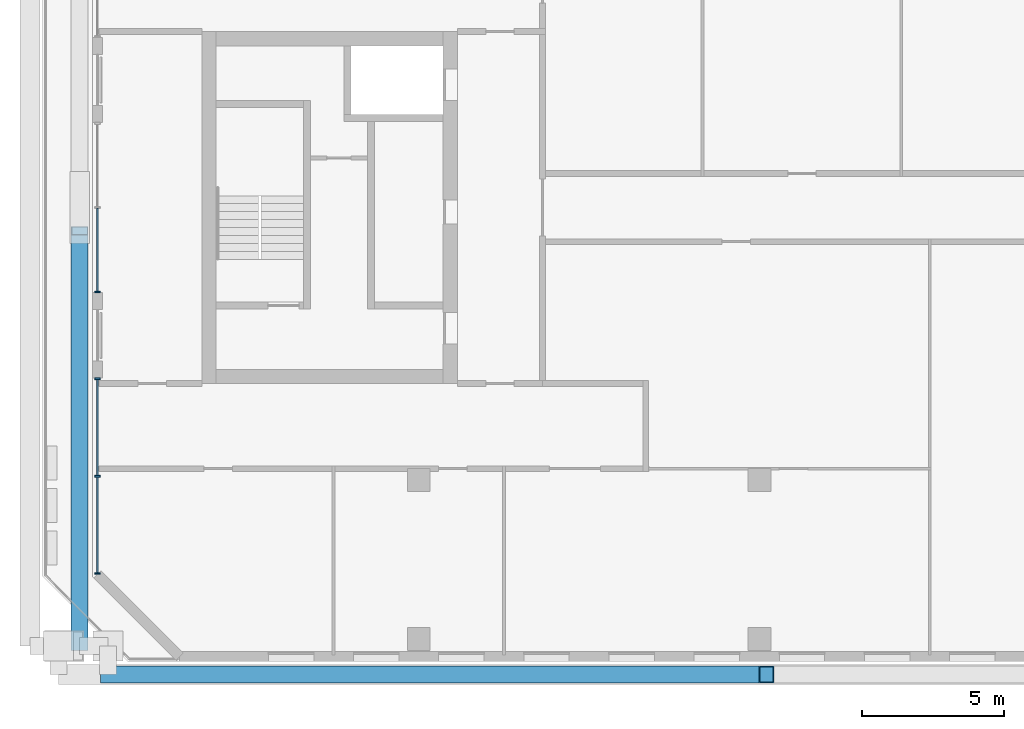
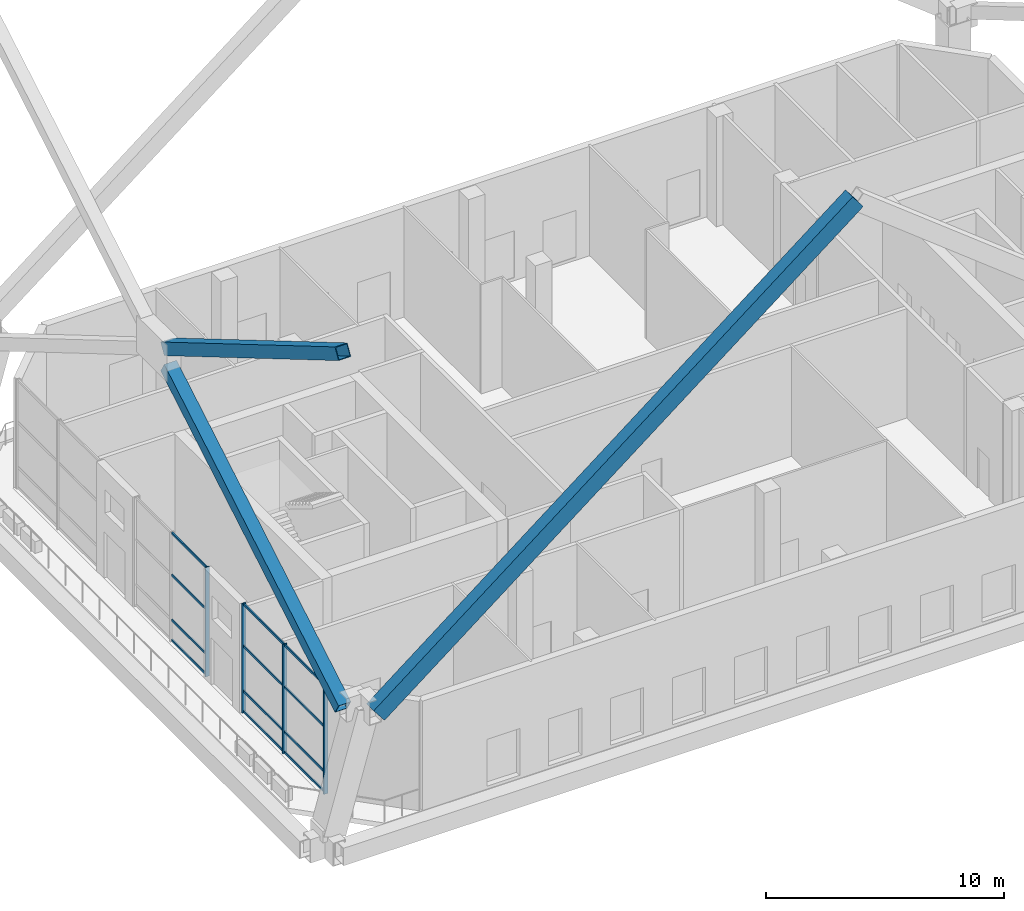
# One storey, part 2 of 20: 19 members, 2 elements without a shape of their own.
"""IFC4 building model written with IfcOpenShell, lengths in metres."""

from ifc_helpers import new_model, si_unit, direction, frame, origin, origin_2d, place, context, subcontext, project, spatial, rectangle, hollow_rectangle, extrude, material, material_profile, profile_set, type_object, element, aggregate, save


model = new_model("IFC4")

# Units and contexts
model_context = context("Model", 3, precision=1e-05, world=origin(), true_north=direction((0.0, 1.0)))
body_context = subcontext(model_context, "Body", "Model", "MODEL_VIEW")
ifc_project = project(units=[si_unit("LENGTHUNIT", "METRE"), si_unit("AREAUNIT", "SQUARE_METRE"), si_unit("VOLUMEUNIT", "CUBIC_METRE"), si_unit("PLANEANGLEUNIT", "RADIAN"), si_unit("MASSUNIT", "GRAM", prefix="KILO")], contexts=[model_context])

# Site, building, storey
site_placement = place(None, origin())
site = spatial("IfcSite", under=ifc_project, at=site_placement, CompositionType="ELEMENT")
building_placement = place(site_placement, origin())
building = spatial("IfcBuilding", under=site, at=building_placement, Name="Tuart Gate Housing", CompositionType="ELEMENT")
storey_placement = place(building_placement, frame((0.0, 0.0, 142.300048828125)))
storey = spatial("IfcBuildingStorey", under=building, at=storey_placement, Name="L40", CompositionType="ELEMENT", Elevation=142.300048828125)

# Members
ifc_material_1 = material(Name="Steel Grade 350", Category="steel")
ifc_material_profile_1 = material_profile(ifc_material_1, hollow_rectangle(XDim=0.60009765625, YDim=0.60009765625, WallThickness=0.030029296875, at=origin_2d()), Name="BOX 600x600x30")
ifc_profile_set_1 = profile_set([ifc_material_profile_1], Name="Steel Grade 350")
member_type_1 = type_object("IfcMemberType", Name="Mega brace BOX 600x600x30", PredefinedType="BRACE", material=ifc_profile_set_1)
for number, where, z_axis, x_axis, name in (
    (1, (28.050048828125, 54.550048828125, 6.199951171875), (0.0, 0.861644676374, 0.507512021214), (-1.0, 0.0, 0.0), "Mega brace A zone 6 west cross 1 a"),
    (2, (28.050048828125, 69.181396484375, 15.781982421875), (0.0, -0.861644676374, 0.507512021214), (1.0, 0.0, 0.0), "Mega brace A zone 6 west cross 2 b"),
):
    element("IfcMember", number, at=place(storey_placement, frame(where, z_axis=z_axis, x_axis=x_axis)), inside=storey, type_object=member_type_1, Name=name, PredefinedType="BRACE", context=body_context, shape_type="SweptSolid", body=[
        extrude(hollow_rectangle(XDim=0.60009765625, YDim=0.60009765625, WallThickness=0.030029296875, at=origin_2d()), origin(), (0.0, 0.0, 1.0), 16.980712890625),
    ])
ifc_material_2 = material(Name="Steel Grade 350", Category="steel")
ifc_material_profile_2 = material_profile(ifc_material_2, hollow_rectangle(XDim=0.60009765625, YDim=0.85009765625, WallThickness=0.0419921875, at=origin_2d()), Name="BOX 850x600x42")
ifc_profile_set_2 = profile_set([ifc_material_profile_2], Name="Steel Grade 350")
member_type_2 = type_object("IfcMemberType", Name="Mega brace BOX 850x600x42", PredefinedType="BRACE", material=ifc_profile_set_2)
member_1_placement = place(storey_placement, frame((29.050048828125, 53.550048828125, 6.199951171875), z_axis=(0.78678900495, 0.0, 0.617222052174), x_axis=(0.0, 1.0, 0.0)))
element("IfcMember", 3, at=member_1_placement, inside=storey, type_object=member_type_2, Name="Mega brace A zone 6 south chevron 1", PredefinedType="BRACE", context=body_context, shape_type="SweptSolid", body=[
    extrude(hollow_rectangle(XDim=0.60009765625, YDim=0.85009765625, WallThickness=0.0419921875, at=origin_2d()), origin(), (0.0, 0.0, 1.0), 29.48681640625),
])

# Curtain wall, member
ifc_material_3 = material(Name="Aluminium and clear glass", Category="aluminium")
curtain_wall_type = type_object("IfcCurtainWallType", Name="Sky garden front glazing", PredefinedType="USERDEFINED", material=ifc_material_3)
curtain_wall_1_placement = place(storey_placement, origin())
curtain_wall_1 = element("IfcCurtainWall", 4, at=curtain_wall_1_placement, inside=storey, type_object=curtain_wall_type, Name="Sky garden front glazing A-W L40", ObjectType="SKY GARDEN FRONT GLAZING", PredefinedType="USERDEFINED")
ifc_material_4 = material(Name="Anodised aluminium", Category="aluminium")
ifc_material_profile_3 = material_profile(ifc_material_4, rectangle(XDim=0.06005859375, YDim=0.199951171875, at=origin_2d()), Name="60x200")
ifc_profile_set_3 = profile_set([ifc_material_profile_3], Name="Anodised aluminium")
member_type_3 = type_object("IfcMemberType", Name="Mullion 60 x 200", PredefinedType="MULLION", material=ifc_profile_set_3)
member_2_placement = place(storey_placement, frame((28.679931640625, 67.030029296875, 0.0), z_axis=(0.0, 0.0, 1.0), x_axis=(0.0, -1.0, 0.0)))
member_2 = element("IfcMember", 5, at=member_2_placement, type_object=member_type_3, Name="CW4 mullion 3", PredefinedType="MULLION", context=body_context, shape_type="SweptSolid", body=[
    extrude(rectangle(XDim=0.06005859375, YDim=0.199951171875, at=origin_2d()), origin(), (0.0, 0.0, 1.0), 5.599853515625),
])

# Curtain wall, members
curtain_wall_2_placement = place(storey_placement, origin())
curtain_wall_2 = element("IfcCurtainWall", 6, at=curtain_wall_2_placement, inside=storey, type_object=curtain_wall_type, Name="Sky garden front glazing A-W L40", ObjectType="SKY GARDEN FRONT GLAZING", PredefinedType="USERDEFINED")
member_3_placement = place(storey_placement, frame((28.679931640625, 63.969970703125, 0.0), z_axis=(0.0, 0.0, 1.0), x_axis=(0.0, -1.0, 0.0)))
member_3 = element("IfcMember", 7, at=member_3_placement, type_object=member_type_3, Name="CW4 mullion 1", PredefinedType="MULLION", context=body_context, shape_type="SweptSolid", body=[
    extrude(rectangle(XDim=0.06005859375, YDim=0.199951171875, at=origin_2d()), origin(), (0.0, 0.0, 1.0), 5.599853515625),
])
member_4_placement = place(storey_placement, frame((28.679931640625, 60.537353515625, 0.0), z_axis=(0.0, 0.0, 1.0), x_axis=(0.0, -1.0, 0.0)))
member_4 = element("IfcMember", 8, at=member_4_placement, type_object=member_type_3, Name="CW4 mullion 2", PredefinedType="MULLION", context=body_context, shape_type="SweptSolid", body=[
    extrude(rectangle(XDim=0.06005859375, YDim=0.199951171875, at=origin_2d()), origin(), (0.0, 0.0, 1.0), 5.599853515625),
])
member_5_placement = place(storey_placement, frame((28.679931640625, 57.1044921875, 0.0), z_axis=(0.0, 0.0, 1.0), x_axis=(0.0, -1.0, 0.0)))
member_5 = element("IfcMember", 9, at=member_5_placement, type_object=member_type_3, Name="CW4 mullion 3", PredefinedType="MULLION", context=body_context, shape_type="SweptSolid", body=[
    extrude(rectangle(XDim=0.06005859375, YDim=0.199951171875, at=origin_2d()), origin(), (0.0, 0.0, 1.0), 5.599853515625),
])

# Member
ifc_material_5 = material(Name="Anodised aluminium", Category="aluminium")
ifc_material_profile_4 = material_profile(ifc_material_5, rectangle(XDim=0.06005859375, YDim=0.1201171875, at=origin_2d()), Name="60x120")
ifc_profile_set_4 = profile_set([ifc_material_profile_4], Name="Anodised aluminium")
member_type_4 = type_object("IfcMemberType", Name="Transom 60 x 120", PredefinedType="USERDEFINED", material=ifc_profile_set_4)
member_6_placement = place(storey_placement, frame((28.679931640625, 69.969970703125, 0.06005859375), z_axis=(0.0, -1.0, 0.0), x_axis=(1.0, 0.0, 0.0)))
member_6 = element("IfcMember", 10, at=member_6_placement, type_object=member_type_4, Name="CW4 transom 2.1", ObjectType="TRANSOM", PredefinedType="USERDEFINED", context=body_context, shape_type="SweptSolid", body=[
    extrude(rectangle(XDim=0.06005859375, YDim=0.1201171875, at=origin_2d()), origin(), (0.0, 0.0, 1.0), 2.909912109375),
])

member_7_placement = place(storey_placement, frame((28.679931640625, 69.969970703125, 1.099853515625), z_axis=(0.0, -1.0, 0.0), x_axis=(1.0, 0.0, 0.0)))
member_7 = element("IfcMember", 11, at=member_7_placement, type_object=member_type_4, Name="CW4 transom 2.2", ObjectType="TRANSOM", PredefinedType="USERDEFINED", context=body_context, shape_type="SweptSolid", body=[
    extrude(rectangle(XDim=0.06005859375, YDim=0.1201171875, at=origin_2d()), origin(), (0.0, 0.0, 1.0), 2.909912109375),
])

member_8_placement = place(storey_placement, frame((28.679931640625, 69.969970703125, 3.39990234375), z_axis=(0.0, -1.0, 0.0), x_axis=(1.0, 0.0, 0.0)))
member_8 = element("IfcMember", 12, at=member_8_placement, type_object=member_type_4, Name="CW4 transom 2.3", ObjectType="TRANSOM", PredefinedType="USERDEFINED", context=body_context, shape_type="SweptSolid", body=[
    extrude(rectangle(XDim=0.06005859375, YDim=0.1201171875, at=origin_2d()), origin(), (0.0, 0.0, 1.0), 2.909912109375),
])

member_9_placement = place(storey_placement, frame((28.679931640625, 69.969970703125, 5.5400390625), z_axis=(0.0, -1.0, 0.0), x_axis=(1.0, 0.0, 0.0)))
member_9 = element("IfcMember", 13, at=member_9_placement, type_object=member_type_4, Name="CW4 transom 2.4", ObjectType="TRANSOM", PredefinedType="USERDEFINED", context=body_context, shape_type="SweptSolid", body=[
    extrude(rectangle(XDim=0.06005859375, YDim=0.1201171875, at=origin_2d()), origin(), (0.0, 0.0, 1.0), 2.909912109375),
])

aggregate(curtain_wall_1, [member_2, member_6, member_7, member_8, member_9])

member_10_placement = place(storey_placement, frame((28.679931640625, 63.93994140625, 0.06005859375), z_axis=(0.0, -1.0, 0.0), x_axis=(1.0, 0.0, 0.0)))
member_10 = element("IfcMember", 14, at=member_10_placement, type_object=member_type_4, Name="CW4 transom 1.1", ObjectType="TRANSOM", PredefinedType="USERDEFINED", context=body_context, shape_type="SweptSolid", body=[
    extrude(rectangle(XDim=0.06005859375, YDim=0.1201171875, at=origin_2d()), origin(), (0.0, 0.0, 1.0), 3.372802734375),
])

member_11_placement = place(storey_placement, frame((28.679931640625, 63.93994140625, 1.099853515625), z_axis=(0.0, -1.0, 0.0), x_axis=(1.0, 0.0, 0.0)))
member_11 = element("IfcMember", 15, at=member_11_placement, type_object=member_type_4, Name="CW4 transom 1.2", ObjectType="TRANSOM", PredefinedType="USERDEFINED", context=body_context, shape_type="SweptSolid", body=[
    extrude(rectangle(XDim=0.06005859375, YDim=0.1201171875, at=origin_2d()), origin(), (0.0, 0.0, 1.0), 3.372802734375),
])

member_12_placement = place(storey_placement, frame((28.679931640625, 63.93994140625, 3.39990234375), z_axis=(0.0, -1.0, 0.0), x_axis=(1.0, 0.0, 0.0)))
member_12 = element("IfcMember", 16, at=member_12_placement, type_object=member_type_4, Name="CW4 transom 1.3", ObjectType="TRANSOM", PredefinedType="USERDEFINED", context=body_context, shape_type="SweptSolid", body=[
    extrude(rectangle(XDim=0.06005859375, YDim=0.1201171875, at=origin_2d()), origin(), (0.0, 0.0, 1.0), 3.372802734375),
])

member_13_placement = place(storey_placement, frame((28.679931640625, 63.93994140625, 5.5400390625), z_axis=(0.0, -1.0, 0.0), x_axis=(1.0, 0.0, 0.0)))
member_13 = element("IfcMember", 17, at=member_13_placement, type_object=member_type_4, Name="CW4 transom 1.4", ObjectType="TRANSOM", PredefinedType="USERDEFINED", context=body_context, shape_type="SweptSolid", body=[
    extrude(rectangle(XDim=0.06005859375, YDim=0.1201171875, at=origin_2d()), origin(), (0.0, 0.0, 1.0), 3.372802734375),
])

member_14_placement = place(storey_placement, frame((28.679931640625, 60.50732421875, 0.06005859375), z_axis=(0.0, -1.0, 0.0), x_axis=(1.0, 0.0, 0.0)))
member_14 = element("IfcMember", 18, at=member_14_placement, type_object=member_type_4, Name="CW4 transom 2.1", ObjectType="TRANSOM", PredefinedType="USERDEFINED", context=body_context, shape_type="SweptSolid", body=[
    extrude(rectangle(XDim=0.06005859375, YDim=0.1201171875, at=origin_2d()), origin(), (0.0, 0.0, 1.0), 3.372802734375),
])

member_15_placement = place(storey_placement, frame((28.679931640625, 60.50732421875, 1.099853515625), z_axis=(0.0, -1.0, 0.0), x_axis=(1.0, 0.0, 0.0)))
member_15 = element("IfcMember", 19, at=member_15_placement, type_object=member_type_4, Name="CW4 transom 2.2", ObjectType="TRANSOM", PredefinedType="USERDEFINED", context=body_context, shape_type="SweptSolid", body=[
    extrude(rectangle(XDim=0.06005859375, YDim=0.1201171875, at=origin_2d()), origin(), (0.0, 0.0, 1.0), 3.372802734375),
])

member_16_placement = place(storey_placement, frame((28.679931640625, 60.50732421875, 3.39990234375), z_axis=(0.0, -1.0, 0.0), x_axis=(1.0, 0.0, 0.0)))
member_16 = element("IfcMember", 20, at=member_16_placement, type_object=member_type_4, Name="CW4 transom 2.3", ObjectType="TRANSOM", PredefinedType="USERDEFINED", context=body_context, shape_type="SweptSolid", body=[
    extrude(rectangle(XDim=0.06005859375, YDim=0.1201171875, at=origin_2d()), origin(), (0.0, 0.0, 1.0), 3.372802734375),
])

member_17_placement = place(storey_placement, frame((28.679931640625, 60.50732421875, 5.5400390625), z_axis=(0.0, -1.0, 0.0), x_axis=(1.0, 0.0, 0.0)))
member_17 = element("IfcMember", 21, at=member_17_placement, type_object=member_type_4, Name="CW4 transom 2.4", ObjectType="TRANSOM", PredefinedType="USERDEFINED", context=body_context, shape_type="SweptSolid", body=[
    extrude(rectangle(XDim=0.06005859375, YDim=0.1201171875, at=origin_2d()), origin(), (0.0, 0.0, 1.0), 3.372802734375),
])

aggregate(curtain_wall_2, [member_3, member_4, member_5, member_10, member_11, member_12, member_13, member_14, member_15, member_16, member_17])

save(model, "model.ifc")
